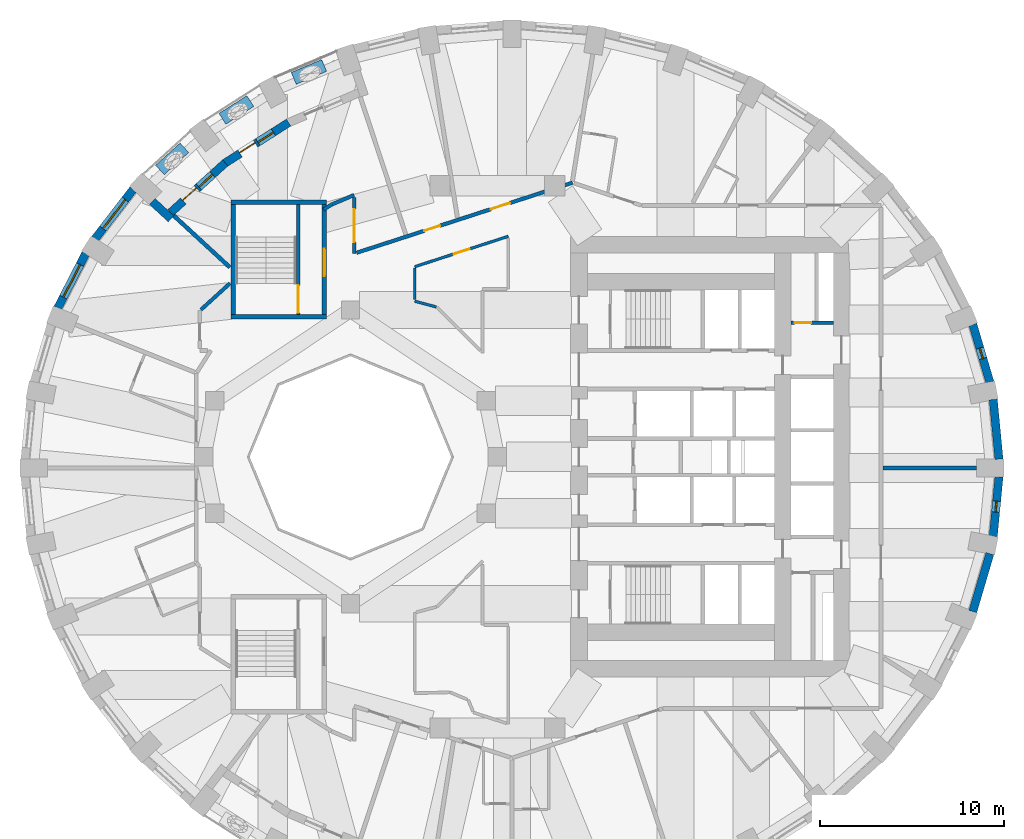
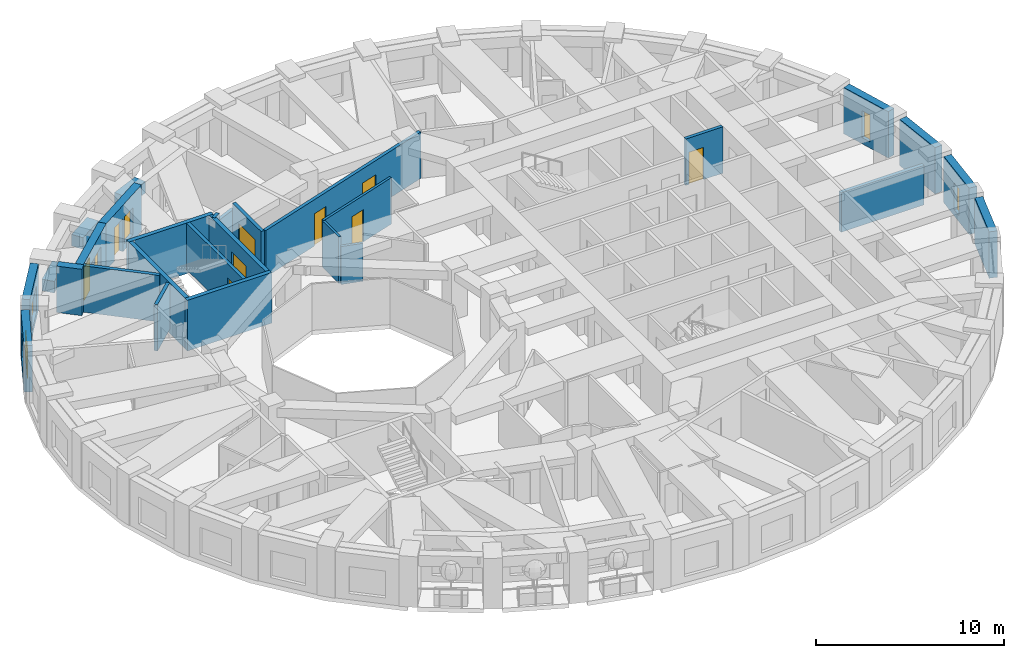
# One storey, part 7 of 12: 28 walls, 9 doors, 6 windows, 15 openings.
"""IFC4 building model written with IfcOpenShell, lengths in metres."""

import ifcopenshell
import ifcopenshell.guid

model = None  # the IFC model being written
_history = None  # IfcOwnerHistory: only IFC2X3 demands one
_inside = {}  # id of a spatial element -> (the spatial element, [elements in it])
_under = {}  # id of a project, library or spatial element -> (it, [spatial elements below it])
_declared = {}  # id of a project -> (the project, [libraries it declares])
_typed = {}  # id of a type object -> (the type object, [elements of that type])
_made_of = {}  # id of a material, layer set ... -> (it, [elements and type objects made of it])


def new_model(schema):
    """Start an empty IFC model of exactly this schema.

    Asked for "IFC4X3", IfcOpenShell would pick the latest addendum, in which some entities
    have other attributes; the version numbers below select the first issue.
    IFC2X3 requires an IfcOwnerHistory on every rooted entity: one is made here for all.
    """
    global model, _history
    if schema == "IFC4X3":
        model = ifcopenshell.file(schema_version=(4, 3, 0, 0))
    else:
        model = ifcopenshell.file(schema=schema)
    _inside.clear()
    _under.clear()
    _declared.clear()
    _typed.clear()
    _made_of.clear()
    _history = None
    if model.schema == "IFC2X3":
        org = make("IfcOrganization", Name="unknown")
        user = make(
            "IfcPersonAndOrganization",
            ThePerson=make("IfcPerson", FamilyName="unknown"),
            TheOrganization=org,
        )
        app = make(
            "IfcApplication",
            ApplicationDeveloper=org,
            Version="unknown",
            ApplicationFullName="unknown",
            ApplicationIdentifier="unknown",
        )
        _history = make(
            "IfcOwnerHistory",
            OwningUser=user,
            OwningApplication=app,
            ChangeAction="ADDED",
            CreationDate=0,
        )
    return model


def make(cls, **values):
    """One entity of the class cls with the attributes given. An attribute that is None is left unset."""
    return model.create_entity(
        cls, **{name: value for name, value in values.items() if value is not None}
    )


def rooted(cls, **values):
    """An entity with a GlobalId (a new one), such as an element, a storey or a relation."""
    return make(cls, GlobalId=ifcopenshell.guid.new(), OwnerHistory=_history, **values)


def si_unit(unit_type, name, prefix=None):
    """IfcSIUnit, for example si_unit("LENGTHUNIT", "METRE", prefix="MILLI")."""
    return make("IfcSIUnit", UnitType=unit_type, Prefix=prefix, Name=name)


def assignment(units):
    """IfcUnitAssignment: the units of a project."""
    return None if units is None else make("IfcUnitAssignment", Units=units)


def point(xyz):
    """IfcCartesianPoint."""
    return None if xyz is None else make("IfcCartesianPoint", Coordinates=xyz)


def direction(xyz):
    """IfcDirection."""
    return None if xyz is None else make("IfcDirection", DirectionRatios=xyz)


def frame(location, z_axis=None, x_axis=None):
    """IfcAxis2Placement3D, a coordinate frame: its origin and axes. An axis left out is left unset."""
    return make(
        "IfcAxis2Placement3D",
        Location=point(location),
        Axis=direction(z_axis),
        RefDirection=direction(x_axis),
    )


def frame_2d(location, x_axis=None):
    """IfcAxis2Placement2D, a coordinate frame in the plane: its origin and x axis."""
    return make(
        "IfcAxis2Placement2D", Location=point(location), RefDirection=direction(x_axis)
    )


def origin():
    """The frame at (0, 0, 0) with its axes left unset."""
    return frame((0.0, 0.0, 0.0))


def place(relative_to, where):
    """IfcLocalPlacement: puts the frame where relative to a parent placement (None: the world)."""
    return make(
        "IfcLocalPlacement", PlacementRelTo=relative_to, RelativePlacement=where
    )


def context(
    kind, dimensions, precision=None, world=None, true_north=None, identifier=None
):
    """IfcGeometricRepresentationContext, for example the 3D "Model" context."""
    return make(
        "IfcGeometricRepresentationContext",
        ContextIdentifier=identifier,
        ContextType=kind,
        CoordinateSpaceDimension=dimensions,
        Precision=precision,
        WorldCoordinateSystem=world,
        TrueNorth=true_north,
    )


def subcontext(parent, identifier, kind, view, scale=None):
    """IfcGeometricRepresentationSubContext, for example "Body" below "Model"."""
    return make(
        "IfcGeometricRepresentationSubContext",
        ContextIdentifier=identifier,
        ContextType=kind,
        ParentContext=parent,
        TargetScale=scale,
        TargetView=view,
    )


def project(units=None, contexts=None):
    """IfcProject with its units and contexts."""
    return rooted(
        "IfcProject",
        Name="project",
        RepresentationContexts=contexts,
        UnitsInContext=assignment(units),
    )


def spatial(cls, under=None, at=None, **own):
    """A site, building, storey or space (cls), placed at a placement, below another one or the project."""
    s = rooted(cls, ObjectPlacement=at, **own)
    if under is not None:
        _under.setdefault(under.id(), (under, []))[1].append(s)
    return s


def profile(cls, at=None, kind="AREA", **sizes):
    """A parametric profile (cls). Its sizes go by their IFC names, for example OverallWidth=200.0."""
    return make(cls, ProfileType=kind, Position=at, **sizes)


def rectangle(**sizes):
    """IfcRectangleProfileDef."""
    return profile("IfcRectangleProfileDef", **sizes)


def extrude(swept, where, along, depth):
    """IfcExtrudedAreaSolid: the profile swept, set in the frame where, extruded along a direction by depth."""
    return make(
        "IfcExtrudedAreaSolid",
        SweptArea=swept,
        Position=where,
        ExtrudedDirection=direction(along),
        Depth=depth,
    )


def shape(context_of_items, identifier, shape_type, items):
    """IfcShapeRepresentation: the items that make up one representation, for example the "Body"."""
    return make(
        "IfcShapeRepresentation",
        ContextOfItems=context_of_items,
        RepresentationIdentifier=identifier,
        RepresentationType=shape_type,
        Items=items,
    )


def material(Name=None, Category=None):
    """IfcMaterial."""
    return make("IfcMaterial", Name=Name, Category=Category)


def layer(
    of_material, thickness, ventilated=None, Name=None, Category=None, Priority=None
):
    """IfcMaterialLayer: one layer of a wall or slab, of a material (None: an air gap)."""
    return make(
        "IfcMaterialLayer",
        Material=of_material,
        LayerThickness=thickness,
        IsVentilated=ventilated,
        Name=Name,
        Category=Category,
        Priority=Priority,
    )


def layer_set(layers, Name=None):
    """IfcMaterialLayerSet."""
    return make("IfcMaterialLayerSet", MaterialLayers=layers, LayerSetName=Name)


def constituent(of_material, Name=None, Category=None, fraction=None):
    """IfcMaterialConstituent: one of the materials an element consists of."""
    return make(
        "IfcMaterialConstituent",
        Name=Name,
        Material=of_material,
        Fraction=fraction,
        Category=Category,
    )


def constituent_set(constituents=None, Name=None):
    """IfcMaterialConstituentSet."""
    return make(
        "IfcMaterialConstituentSet", Name=Name, MaterialConstituents=constituents
    )


def made_of(thing, what):
    """Note that an element or type object is made of a material, layer set ...; save() writes the relation."""
    if what is not None:
        _made_of.setdefault(what.id(), (what, []))[1].append(thing)
    return thing


def type_object(cls, material=None, **own):
    """A type object (cls), such as IfcWallType, which elements share."""
    return made_of(rooted(cls, **own), material)


def element(
    cls,
    number,
    at=None,
    inside=None,
    cuts=None,
    type_object=None,
    material=None,
    context=None,
    identifier="Body",
    shape_type=None,
    held_by="IfcProductDefinitionShape",
    body=None,
    shapes=None,
    **own,
):
    """One element of the class cls, such as IfcWall. Its Tag is "e" and its number.

    at: its placement. inside: the storey or other place that contains it. cuts: it is an
    opening in that element (IfcRelVoidsElement). A single representation is given by context,
    identifier, shape_type and body (its items); several are given by shapes. held_by: the class
    of the entity that holds the representations. save() writes the other relations.
    """
    e = rooted(cls, Tag="e%d" % number, ObjectPlacement=at, **own)
    if body is not None:
        shapes = [shape(context, identifier, shape_type, body)]
    if shapes is not None:
        e.Representation = make(held_by, Representations=shapes)
    if inside is not None:
        _inside.setdefault(inside.id(), (inside, []))[1].append(e)
    if cuts is not None:
        rooted(
            "IfcRelVoidsElement", RelatingBuildingElement=cuts, RelatedOpeningElement=e
        )
    if type_object is not None:
        _typed.setdefault(type_object.id(), (type_object, []))[1].append(e)
    return made_of(e, material)


def fill(opening, filler):
    """IfcRelFillsElement: the door or window that sits in an opening."""
    return rooted(
        "IfcRelFillsElement",
        RelatingOpeningElement=opening,
        RelatedBuildingElement=filler,
    )


def aggregate(whole, parts):
    """IfcRelAggregates: a whole, such as a stair, and the parts it consists of."""
    return rooted("IfcRelAggregates", RelatingObject=whole, RelatedObjects=parts)


def save(model, path):
    """Write the relations noted so far, then the file.

    IfcRelAggregates (storeys below a building ...), IfcRelContainedInSpatialStructure (elements
    in a storey), IfcRelDefinesByType, IfcRelAssociatesMaterial and IfcRelDeclares: one each for
    every whole, place, type object, material and project.
    """
    for whole, parts in _under.values():
        aggregate(whole, parts)
    for where, things in _inside.values():
        rooted(
            "IfcRelContainedInSpatialStructure",
            RelatedElements=things,
            RelatingStructure=where,
        )
    for kind, things in _typed.values():
        rooted("IfcRelDefinesByType", RelatedObjects=things, RelatingType=kind)
    for what, things in _made_of.values():
        rooted("IfcRelAssociatesMaterial", RelatedObjects=things, RelatingMaterial=what)
    for by, libraries in _declared.values():
        rooted("IfcRelDeclares", RelatingContext=by, RelatedDefinitions=libraries)
    model.write(path)


model = new_model("IFC4")

# Units and contexts
model_context = context("Model", 3, precision=1e-05, world=origin(), true_north=direction((0.0, 1.0)))
body_context = subcontext(model_context, "Body", "Model", "MODEL_VIEW")
ifc_project = project(units=[si_unit("LENGTHUNIT", "METRE"), si_unit("AREAUNIT", "SQUARE_METRE"), si_unit("VOLUMEUNIT", "CUBIC_METRE"), si_unit("PLANEANGLEUNIT", "RADIAN"), si_unit("MASSUNIT", "GRAM", prefix="KILO")], contexts=[model_context])

# Site, building, storey
site_placement = place(None, origin())
site = spatial("IfcSite", under=ifc_project, at=site_placement, CompositionType="ELEMENT")
building_placement = place(site_placement, origin())
building = spatial("IfcBuilding", under=site, at=building_placement, Name="Taillehof Tower", CompositionType="ELEMENT")
storey_placement = place(building_placement, frame((0.0, 0.0, 118.60009765625)))
storey = spatial("IfcBuildingStorey", under=building, at=storey_placement, Name="L33", CompositionType="ELEMENT", Elevation=118.60009765625)

# Wall
ifc_material_1 = material(Name="Brick masonry", Category="masonry")
ifc_layer_1 = layer(ifc_material_1, 0.449951171875)
ifc_layer_set_1 = layer_set([ifc_layer_1], Name="Brick infill wall 450")
wall_type_1 = type_object("IfcWallType", Name="Brick infill wall 450", PredefinedType="SOLIDWALL", material=ifc_layer_set_1)
wall_1_placement = place(storey_placement, frame((27.32763671875, -0.119873046875, 0.0), z_axis=(0.0, 0.0, 1.0), x_axis=(-0.09589355735, 0.995391594127, 0.0)))
element("IfcWall", 1, at=wall_1_placement, inside=storey, type_object=wall_type_1, Name="Brick wall L33 bay 1", PredefinedType="SOLIDWALL", context=body_context, shape_type="SweptSolid", body=[
    extrude(rectangle(XDim=3.261474609375, YDim=0.449951171875, at=frame_2d((1.630859375, 0.0))), origin(), (0.0, 0.0, 1.0), 3.02001953125),
])

# Wall, opening, window
wall_2_placement = place(storey_placement, frame((26.83203125, 4.069091796875, 0.0), z_axis=(0.0, 0.0, 1.0), x_axis=(-0.283002902729, 0.959119052593, 0.0)))
wall_2 = element("IfcWall", 2, at=wall_2_placement, inside=storey, type_object=wall_type_1, Name="Brick wall L33 bay 2", PredefinedType="SOLIDWALL", context=body_context, shape_type="SweptSolid", body=[
    extrude(rectangle(XDim=3.285888671875, YDim=0.449951171875, at=frame_2d((1.64306640625, 0.0))), origin(), (0.0, 0.0, 1.0), 3.02001953125),
])
opening_1_placement = place(wall_2_placement, frame((1.343017578125, 0.0, 0.39990234375)))
opening_1 = element("IfcOpeningElement", 3, at=opening_1_placement, cuts=wall_2, Name="Opening W6", PredefinedType="OPENING", context=body_context, shape_type="SweptSolid", body=[
    extrude(rectangle(XDim=0.60009765625, YDim=1.75, at=frame_2d((0.300048828125, 0.875))), frame((0.0, 0.23486328125, 0.0), z_axis=(0.0, -1.0, 0.0), x_axis=(1.0, 0.0, 0.0)), (0.0, 0.0, 1.0), 0.469970703125),
])
ifc_material_2 = material(Name="Aluminium window frame with clear double glazing", Category="aluminium")
window_type_1 = type_object("IfcWindowType", Name="Slot window 600x1750", PartitioningType="SINGLE_PANEL", PredefinedType="WINDOW", material=ifc_material_2)
window_1_placement = place(opening_1_placement, origin())
window_1 = element("IfcWindow", 4, at=window_1_placement, inside=storey, type_object=window_type_1, Name="W6", OverallHeight=1.75, OverallWidth=0.60009765625, PartitioningType="SINGLE_PANEL", PredefinedType="WINDOW", context=body_context, shape_type="SweptSolid", body=[
    extrude(rectangle(XDim=0.60009765625, YDim=1.75, at=frame_2d((0.300048828125, 0.875))), frame((0.0, 0.034912109375, 0.0), z_axis=(0.0, -1.0, 0.0), x_axis=(1.0, 0.0, 0.0)), (0.0, 0.0, 1.0), 0.06005859375),
])
fill(opening_1, window_1)

wall_3_placement = place(storey_placement, frame((-19.835205078125, 14.575439453125, 0.0), z_axis=(0.0, 0.0, 1.0), x_axis=(-0.610693945156, -0.791866721961, 0.0)))
wall_3 = element("IfcWall", 5, at=wall_3_placement, inside=storey, type_object=wall_type_1, Name="Brick wall L33 bay 15", PredefinedType="SOLIDWALL", context=body_context, shape_type="SweptSolid", body=[
    extrude(rectangle(XDim=3.39453125, YDim=0.449951171875, at=frame_2d((1.697265625, 0.0))), origin(), (0.0, 0.0, 1.0), 3.02001953125),
])
opening_2_placement = place(wall_3_placement, frame((0.697265625, 0.0, 0.39990234375)))
opening_2 = element("IfcOpeningElement", 6, at=opening_2_placement, cuts=wall_3, Name="Opening W2", PredefinedType="OPENING", context=body_context, shape_type="SweptSolid", body=[
    extrude(rectangle(XDim=2.0, YDim=1.75, at=frame_2d((1.0, 0.875))), frame((0.0, 0.23486328125, 0.0), z_axis=(0.0, -1.0, 0.0), x_axis=(1.0, 0.0, 0.0)), (0.0, 0.0, 1.0), 0.469970703125),
])
ifc_material_3 = material(Name="Aluminium window frame with clear double glazing", Category="aluminium")
window_type_2 = type_object("IfcWindowType", Name="Deep-set window 2000x1750", PartitioningType="SINGLE_PANEL", PredefinedType="WINDOW", material=ifc_material_3)
window_2_placement = place(opening_2_placement, origin())
window_2 = element("IfcWindow", 7, at=window_2_placement, inside=storey, type_object=window_type_2, Name="W2", OverallHeight=1.75, OverallWidth=2.0, PartitioningType="SINGLE_PANEL", PredefinedType="WINDOW", context=body_context, shape_type="SweptSolid", body=[
    extrude(rectangle(XDim=2.0, YDim=1.75, at=frame_2d((1.0, 0.875))), frame((0.0, 0.034912109375, 0.0), z_axis=(0.0, -1.0, 0.0), x_axis=(1.0, 0.0, 0.0)), (0.0, 0.0, 1.0), 0.06005859375),
])
fill(opening_2, window_2)

wall_4_placement = place(storey_placement, frame((-22.4228515625, 11.076904296875, 0.0), z_axis=(0.0, 0.0, 1.0), x_axis=(-0.456828186229, -0.889554949549, 0.0)))
wall_4 = element("IfcWall", 8, at=wall_4_placement, inside=storey, type_object=wall_type_1, Name="Brick wall L33 bay 16", PredefinedType="SOLIDWALL", context=body_context, shape_type="SweptSolid", body=[
    extrude(rectangle(XDim=3.332763671875, YDim=0.449951171875, at=frame_2d((1.66650390625, 0.0))), origin(), (0.0, 0.0, 1.0), 3.02001953125),
])
opening_3_placement = place(wall_4_placement, frame((0.666259765625, 0.0, 0.39990234375)))
opening_3 = element("IfcOpeningElement", 9, at=opening_3_placement, cuts=wall_4, Name="Opening W2", PredefinedType="OPENING", context=body_context, shape_type="SweptSolid", body=[
    extrude(rectangle(XDim=2.0, YDim=1.75, at=frame_2d((1.0, 0.875))), frame((0.0, 0.23486328125, 0.0), z_axis=(0.0, -1.0, 0.0), x_axis=(1.0, 0.0, 0.0)), (0.0, 0.0, 1.0), 0.469970703125),
])
window_3_placement = place(opening_3_placement, origin())
window_3 = element("IfcWindow", 10, at=window_3_placement, inside=storey, type_object=window_type_2, Name="W2", OverallHeight=1.75, OverallWidth=2.0, PartitioningType="SINGLE_PANEL", PredefinedType="WINDOW", context=body_context, shape_type="SweptSolid", body=[
    extrude(rectangle(XDim=2.0, YDim=1.75, at=frame_2d((1.0, 0.875))), frame((0.0, 0.034912109375, 0.0), z_axis=(0.0, -1.0, 0.0), x_axis=(1.0, 0.0, 0.0)), (0.0, 0.0, 1.0), 0.06005859375),
])
fill(opening_3, window_3)

# Wall
wall_5_placement = place(storey_placement, frame((25.902099609375, -8.4208984375, 0.0), z_axis=(0.0, 0.0, 1.0), x_axis=(0.282982737009, 0.95912500257, 0.0)))
element("IfcWall", 11, at=wall_5_placement, inside=storey, type_object=wall_type_1, Name="Brick wall L33 bay 35", PredefinedType="SOLIDWALL", context=body_context, shape_type="SweptSolid", body=[
    extrude(rectangle(XDim=3.2861328125, YDim=0.449951171875, at=frame_2d((1.64306640625, 0.0))), origin(), (0.0, 0.0, 1.0), 3.02001953125),
])

# Wall, opening, window
wall_6_placement = place(storey_placement, frame((27.014892578125, -4.326416015625, 0.0), z_axis=(0.0, 0.0, 1.0), x_axis=(0.09589355735, 0.995391594127, 0.0)))
wall_6 = element("IfcWall", 12, at=wall_6_placement, inside=storey, type_object=wall_type_1, Name="Brick wall L33 bay 36", PredefinedType="SOLIDWALL", context=body_context, shape_type="SweptSolid", body=[
    extrude(rectangle(XDim=3.261474609375, YDim=0.449951171875, at=frame_2d((1.630859375, 0.0))), origin(), (0.0, 0.0, 1.0), 3.02001953125),
])
opening_4_placement = place(wall_6_placement, frame((1.33056640625, 0.0, 0.39990234375)))
opening_4 = element("IfcOpeningElement", 13, at=opening_4_placement, cuts=wall_6, Name="Opening W6", PredefinedType="OPENING", context=body_context, shape_type="SweptSolid", body=[
    extrude(rectangle(XDim=0.60009765625, YDim=1.75, at=frame_2d((0.300048828125, 0.875))), frame((0.0, 0.23486328125, 0.0), z_axis=(0.0, -1.0, 0.0), x_axis=(1.0, 0.0, 0.0)), (0.0, 0.0, 1.0), 0.469970703125),
])
window_4_placement = place(opening_4_placement, origin())
window_4 = element("IfcWindow", 14, at=window_4_placement, inside=storey, type_object=window_type_1, Name="W6", OverallHeight=1.75, OverallWidth=0.60009765625, PartitioningType="SINGLE_PANEL", PredefinedType="WINDOW", context=body_context, shape_type="SweptSolid", body=[
    extrude(rectangle(XDim=0.60009765625, YDim=1.75, at=frame_2d((0.300048828125, 0.875))), frame((0.0, 0.034912109375, 0.0), z_axis=(0.0, -1.0, 0.0), x_axis=(1.0, 0.0, 0.0)), (0.0, 0.0, 1.0), 0.06005859375),
])
fill(opening_4, window_4)

# Wall
wall_7_placement = place(storey_placement, frame((-18.794677734375, 13.916015625, 0.0), z_axis=(0.0, 0.0, 1.0), x_axis=(0.735395448697, -0.677638202905, 0.0)))
element("IfcWall", 15, at=wall_7_placement, inside=storey, type_object=wall_type_1, Name="Brick reveal L33 pocket 3", PredefinedType="SOLIDWALL", context=body_context, shape_type="SweptSolid", body=[
    extrude(rectangle(XDim=1.390625, YDim=0.449951171875, at=frame_2d((0.6953125, 0.0))), origin(), (0.0, 0.0, 1.0), 3.02001953125),
])

# Wall, openings, door, window
wall_8_placement = place(storey_placement, frame((-11.3623046875, 18.216796875, 0.0), z_axis=(0.0, 0.0, 1.0), x_axis=(-0.843284405788, -0.537467590609, 0.0)))
wall_8 = element("IfcWall", 16, at=wall_8_placement, inside=storey, type_object=wall_type_1, Name="Brick wall L33 pocket bay 13", PredefinedType="SOLIDWALL", context=body_context, shape_type="SweptSolid", body=[
    extrude(rectangle(XDim=4.134521484375, YDim=0.449951171875, at=frame_2d((2.0673828125, 0.0))), origin(), (0.0, 0.0, 1.0), 3.02001953125),
])
opening_5_placement = place(wall_8_placement, frame((0.9921875, 0.0, 0.39990234375)))
opening_5 = element("IfcOpeningElement", 17, at=opening_5_placement, cuts=wall_8, Name="Opening W5", PredefinedType="OPENING", context=body_context, shape_type="SweptSolid", body=[
    extrude(rectangle(XDim=1.0, YDim=1.75, at=frame_2d((0.5, 0.875))), frame((0.0, 0.23486328125, 0.0), z_axis=(0.0, -1.0, 0.0), x_axis=(1.0, 0.0, 0.0)), (0.0, 0.0, 1.0), 0.469970703125),
])
opening_6_placement = place(wall_8_placement, frame((2.142333984375, 0.0, 0.0)))
opening_6 = element("IfcOpeningElement", 18, at=opening_6_placement, cuts=wall_8, Name="Opening D3395", PredefinedType="OPENING", context=body_context, shape_type="SweptSolid", body=[
    extrude(rectangle(XDim=1.0, YDim=2.14990234375, at=frame_2d((0.5, 1.074951171875))), frame((0.0, 0.23486328125, 0.0), z_axis=(0.0, -1.0, 0.0), x_axis=(1.0, 0.0, 0.0)), (0.0, 0.0, 1.0), 0.469970703125),
])
ifc_material_4 = material(Name="Aluminium door frame with clear double glazing", Category="aluminium")
door_type_1 = type_object("IfcDoorType", Name="Balcony door 1000x2150", OperationType="SINGLE_SWING_RIGHT", PredefinedType="DOOR", material=ifc_material_4)
door_1_placement = place(opening_6_placement, frame((1.0, 0.0, 0.0), z_axis=(0.0, 0.0, 1.0), x_axis=(-1.0, 0.0, 0.0)))
door_1 = element("IfcDoor", 19, at=door_1_placement, inside=storey, type_object=door_type_1, Name="Balcony door L33 bay 13", OperationType="SINGLE_SWING_LEFT", OverallHeight=2.14990234375, OverallWidth=1.0, PredefinedType="DOOR", context=body_context, shape_type="SweptSolid", body=[
    extrude(rectangle(XDim=1.0, YDim=2.14990234375, at=frame_2d((0.5, 1.074951171875))), frame((0.0, 0.0751953125, 0.0), z_axis=(0.0, -1.0, 0.0), x_axis=(1.0, 0.0, 0.0)), (0.0, 0.0, 1.0), 0.050048828125),
])
fill(opening_6, door_1)
ifc_material_5 = material(Name="Aluminium window frame with clear double glazing", Category="aluminium")
window_type_3 = type_object("IfcWindowType", Name="Fixed window 1000x1750", PartitioningType="SINGLE_PANEL", PredefinedType="WINDOW", material=ifc_material_5)
window_5_placement = place(opening_5_placement, origin())
window_5 = element("IfcWindow", 20, at=window_5_placement, inside=storey, type_object=window_type_3, Name="W5", OverallHeight=1.75, OverallWidth=1.0, PartitioningType="SINGLE_PANEL", PredefinedType="WINDOW", context=body_context, shape_type="SweptSolid", body=[
    extrude(rectangle(XDim=1.0, YDim=1.75, at=frame_2d((0.5, 0.875))), frame((0.0, 0.034912109375, 0.0), z_axis=(0.0, -1.0, 0.0), x_axis=(1.0, 0.0, 0.0)), (0.0, 0.0, 1.0), 0.06005859375),
])
fill(opening_5, window_5)

wall_9_placement = place(storey_placement, frame((-14.818359375, 16.01806640625, 0.0), z_axis=(0.0, 0.0, 1.0), x_axis=(-0.739460283824, -0.673200184675, 0.0)))
wall_9 = element("IfcWall", 21, at=wall_9_placement, inside=storey, type_object=wall_type_1, Name="Brick wall L33 pocket bay 14", PredefinedType="SOLIDWALL", context=body_context, shape_type="SweptSolid", body=[
    extrude(rectangle(XDim=4.031005859375, YDim=0.449951171875, at=frame_2d((2.015625, 0.0))), origin(), (0.0, 0.0, 1.0), 3.02001953125),
])
opening_7_placement = place(wall_9_placement, frame((0.9404296875, 0.0, 0.39990234375)))
opening_7 = element("IfcOpeningElement", 22, at=opening_7_placement, cuts=wall_9, Name="Opening W5", PredefinedType="OPENING", context=body_context, shape_type="SweptSolid", body=[
    extrude(rectangle(XDim=1.0, YDim=1.75, at=frame_2d((0.5, 0.875))), frame((0.0, 0.23486328125, 0.0), z_axis=(0.0, -1.0, 0.0), x_axis=(1.0, 0.0, 0.0)), (0.0, 0.0, 1.0), 0.469970703125),
])
opening_8_placement = place(wall_9_placement, frame((2.090576171875, 0.0, 0.0)))
opening_8 = element("IfcOpeningElement", 23, at=opening_8_placement, cuts=wall_9, Name="Opening D3396", PredefinedType="OPENING", context=body_context, shape_type="SweptSolid", body=[
    extrude(rectangle(XDim=1.0, YDim=2.14990234375, at=frame_2d((0.5, 1.074951171875))), frame((0.0, 0.23486328125, 0.0), z_axis=(0.0, -1.0, 0.0), x_axis=(1.0, 0.0, 0.0)), (0.0, 0.0, 1.0), 0.469970703125),
])
door_2_placement = place(opening_8_placement, frame((1.0, 0.0, 0.0), z_axis=(0.0, 0.0, 1.0), x_axis=(-1.0, 0.0, 0.0)))
door_2 = element("IfcDoor", 24, at=door_2_placement, inside=storey, type_object=door_type_1, Name="Balcony door L33 bay 14", OperationType="SINGLE_SWING_LEFT", OverallHeight=2.14990234375, OverallWidth=1.0, PredefinedType="DOOR", context=body_context, shape_type="SweptSolid", body=[
    extrude(rectangle(XDim=1.0, YDim=2.14990234375, at=frame_2d((0.5, 1.074951171875))), frame((0.0, 0.0751953125, 0.0), z_axis=(0.0, -1.0, 0.0), x_axis=(1.0, 0.0, 0.0)), (0.0, 0.0, 1.0), 0.050048828125),
])
fill(opening_8, door_2)
window_6_placement = place(opening_7_placement, origin())
window_6 = element("IfcWindow", 25, at=window_6_placement, inside=storey, type_object=window_type_3, Name="W5", OverallHeight=1.75, OverallWidth=1.0, PartitioningType="SINGLE_PANEL", PredefinedType="WINDOW", context=body_context, shape_type="SweptSolid", body=[
    extrude(rectangle(XDim=1.0, YDim=1.75, at=frame_2d((0.5, 0.875))), frame((0.0, 0.034912109375, 0.0), z_axis=(0.0, -1.0, 0.0), x_axis=(1.0, 0.0, 0.0)), (0.0, 0.0, 1.0), 0.06005859375),
])
fill(opening_7, window_6)

# Wall, opening, door
ifc_material_6 = material(Name="Calcium silicate masonry", Category="masonry")
ifc_layer_2 = layer(ifc_material_6, 0.199951171875)
ifc_layer_set_2 = layer_set([ifc_layer_2], Name="Compartment wall calcium silicate 200")
wall_type_2 = type_object("IfcWallType", Name="Compartment wall calcium silicate 200", PredefinedType="PARTITIONING", material=ifc_layer_set_2)
wall_10_placement = place(storey_placement, frame((16.0, 7.300048828125, 0.0), z_axis=(0.0, 0.0, 1.0), x_axis=(1.0, 0.0, 0.0)))
wall_10 = element("IfcWall", 26, at=wall_10_placement, inside=storey, type_object=wall_type_2, Name="Compartment wall FW", PredefinedType="PARTITIONING", context=body_context, shape_type="SweptSolid", body=[
    extrude(rectangle(XDim=2.300048828125, YDim=0.199951171875, at=frame_2d((1.14990234375, 0.0))), origin(), (0.0, 0.0, 1.0), 3.02001953125),
])
opening_9_placement = place(wall_10_placement, frame((0.199951171875, 0.0, 0.0)))
opening_9 = element("IfcOpeningElement", 27, at=opening_9_placement, cuts=wall_10, Name="Opening D3316", PredefinedType="OPENING", context=body_context, shape_type="SweptSolid", body=[
    extrude(rectangle(XDim=0.89990234375, YDim=2.10009765625, at=frame_2d((0.449951171875, 1.050048828125))), frame((0.0, 0.10986328125, 0.0), z_axis=(0.0, -1.0, 0.0), x_axis=(1.0, 0.0, 0.0)), (0.0, 0.0, 1.0), 0.219970703125),
])
ifc_material_7 = material(Name="Steel-faced fire door", Category="steel")
door_type_2 = type_object("IfcDoorType", Name="Riser and service room door 900x2100", OperationType="SINGLE_SWING_LEFT", PredefinedType="DOOR", material=ifc_material_7)
door_3_placement = place(opening_9_placement, origin())
door_3 = element("IfcDoor", 28, at=door_3_placement, inside=storey, type_object=door_type_2, Name="Door Linen Store", OperationType="SINGLE_SWING_RIGHT", OverallHeight=2.10009765625, OverallWidth=0.89990234375, PredefinedType="DOOR", context=body_context, shape_type="SweptSolid", body=[
    extrude(rectangle(XDim=0.89990234375, YDim=2.10009765625, at=frame_2d((0.449951171875, 1.050048828125))), frame((0.0, 0.02490234375, 0.0), z_axis=(0.0, -1.0, 0.0), x_axis=(1.0, 0.0, 0.0)), (0.0, 0.0, 1.0), 0.050048828125),
])
fill(opening_9, door_3)

# Walls
ifc_material_8 = material(Name="Gypsum board on steel studs, two layers each side", Category="steel")
ifc_layer_3 = layer(ifc_material_8, 0.199951171875)
ifc_layer_set_3 = layer_set([ifc_layer_3], Name="Compartment wall corridor 200")
wall_type_3 = type_object("IfcWallType", Name="Compartment wall corridor 200", PredefinedType="PARTITIONING", material=ifc_layer_set_3)
wall_11_placement = place(storey_placement, frame((-16.140380859375, 8.0185546875, 0.0), z_axis=(0.0, 0.0, 1.0), x_axis=(0.739392120684, 0.673275049197, 0.0)))
element("IfcWall", 29, at=wall_11_placement, inside=storey, type_object=wall_type_3, Name="Compartment wall", PredefinedType="PARTITIONING", context=body_context, shape_type="SweptSolid", body=[
    extrude(rectangle(XDim=2.137939453125, YDim=0.199951171875, at=frame_2d((1.06884765625, 0.0))), origin(), (0.0, 0.0, 1.0), 3.02001953125),
])
wall_12_placement = place(storey_placement, frame((-9.455078125, 13.4736328125, 0.0), z_axis=(0.0, 0.0, 1.0), x_axis=(0.843342387181, 0.537376607216, 0.0)))
element("IfcWall", 30, at=wall_12_placement, inside=storey, type_object=wall_type_3, Name="Compartment wall", PredefinedType="PARTITIONING", context=body_context, shape_type="SweptSolid", body=[
    extrude(rectangle(XDim=0.50439453125, YDim=0.199951171875, at=frame_2d((0.252197265625, 0.0))), origin(), (0.0, 0.0, 1.0), 3.02001953125),
])
wall_13_placement = place(storey_placement, frame((-9.011474609375, 13.75244140625, 0.0), z_axis=(0.0, 0.0, 1.0), x_axis=(0.920454408747, 0.390849947446, 0.0)))
element("IfcWall", 31, at=wall_13_placement, inside=storey, type_object=wall_type_3, Name="Compartment wall", PredefinedType="PARTITIONING", context=body_context, shape_type="SweptSolid", body=[
    extrude(rectangle(XDim=1.316162109375, YDim=0.199951171875, at=frame_2d((0.658203125, 0.0))), origin(), (0.0, 0.0, 1.0), 2.56982421875),
])

# Wall, opening, door
wall_14_placement = place(storey_placement, frame((-7.800048828125, 14.126708984375, 0.0), z_axis=(0.0, 0.0, 1.0), x_axis=(0.0, -1.0, 0.0)))
wall_14 = element("IfcWall", 32, at=wall_14_placement, inside=storey, type_object=wall_type_3, Name="Compartment wall", PredefinedType="PARTITIONING", context=body_context, shape_type="SweptSolid", body=[
    extrude(rectangle(XDim=3.05029296875, YDim=0.199951171875, at=frame_2d((1.525146484375, 0.0))), origin(), (0.0, 0.0, 1.0), 3.02001953125),
])
opening_10_placement = place(wall_14_placement, frame((0.625244140625, 0.0, 0.0)))
opening_10 = element("IfcOpeningElement", 33, at=opening_10_placement, cuts=wall_14, Name="Opening D3346", PredefinedType="OPENING", context=body_context, shape_type="SweptSolid", body=[
    extrude(rectangle(XDim=1.800048828125, YDim=2.10009765625, at=frame_2d((0.89990234375, 1.050048828125))), frame((0.0, 0.10986328125, 0.0), z_axis=(0.0, -1.0, 0.0), x_axis=(1.0, 0.0, 0.0)), (0.0, 0.0, 1.0), 0.219970703125),
])
ifc_material_9 = material(Name="Timber door leaf in steel frame", Category="steel")
door_type_3 = type_object("IfcDoorType", Name="Lounge and meeting room double door EI 30 1800 x 2100", OperationType="SINGLE_SWING_LEFT", PredefinedType="DOOR", material=ifc_material_9)
door_4_placement = place(opening_10_placement, origin())
door_4 = element("IfcDoor", 34, at=door_4_placement, inside=storey, type_object=door_type_3, Name="D3346", OperationType="DOUBLE_DOOR_SINGLE_SWING", OverallHeight=2.10009765625, OverallWidth=1.800048828125, PredefinedType="DOOR", context=body_context, shape_type="SweptSolid", body=[
    extrude(rectangle(XDim=1.800048828125, YDim=2.10009765625, at=frame_2d((0.89990234375, 1.050048828125))), frame((0.0, 0.02490234375, 0.0), z_axis=(0.0, -1.0, 0.0), x_axis=(1.0, 0.0, 0.0)), (0.0, 0.0, 1.0), 0.050048828125),
])
fill(opening_10, door_4)

# Wall, openings, doors
wall_15_placement = place(storey_placement, frame((-7.666748046875, 11.119140625, 0.0), z_axis=(0.0, 0.0, 1.0), x_axis=(0.951088334028, 0.308919052304, 0.0)))
wall_15 = element("IfcWall", 35, at=wall_15_placement, inside=storey, type_object=wall_type_3, Name="Compartment wall", PredefinedType="PARTITIONING", context=body_context, shape_type="SweptSolid", body=[
    extrude(rectangle(XDim=12.362060546875, YDim=0.199951171875, at=frame_2d((6.18115234375, 0.0))), origin(), (0.0, 0.0, 1.0), 3.02001953125),
])
opening_11_placement = place(wall_15_placement, frame((7.686279296875, 0.0, 0.0)))
opening_11 = element("IfcOpeningElement", 36, at=opening_11_placement, cuts=wall_15, Name="Opening D3344", PredefinedType="OPENING", context=body_context, shape_type="SweptSolid", body=[
    extrude(rectangle(XDim=1.10009765625, YDim=2.10009765625, at=frame_2d((0.550048828125, 1.050048828125))), frame((0.0, 0.10986328125, 0.0), z_axis=(0.0, -1.0, 0.0), x_axis=(1.0, 0.0, 0.0)), (0.0, 0.0, 1.0), 0.219970703125),
])
opening_12_placement = place(wall_15_placement, frame((3.879638671875, 0.0, 0.0)))
opening_12 = element("IfcOpeningElement", 37, at=opening_12_placement, cuts=wall_15, Name="Opening D3345", PredefinedType="OPENING", context=body_context, shape_type="SweptSolid", body=[
    extrude(rectangle(XDim=0.89990234375, YDim=2.10009765625, at=frame_2d((0.449951171875, 1.050048828125))), frame((0.0, 0.10986328125, 0.0), z_axis=(0.0, -1.0, 0.0), x_axis=(1.0, 0.0, 0.0)), (0.0, 0.0, 1.0), 0.219970703125),
])
ifc_material_10 = material(Name="Timber door leaf in steel frame", Category="steel")
door_type_4 = type_object("IfcDoorType", Name="Service room door EI 30 900 x 2100", OperationType="SINGLE_SWING_LEFT", PredefinedType="DOOR", material=ifc_material_10)
door_5_placement = place(opening_12_placement, origin())
door_5 = element("IfcDoor", 38, at=door_5_placement, inside=storey, type_object=door_type_4, Name="D3345", OperationType="SINGLE_SWING_RIGHT", OverallHeight=2.10009765625, OverallWidth=0.89990234375, PredefinedType="DOOR", context=body_context, shape_type="SweptSolid", body=[
    extrude(rectangle(XDim=0.89990234375, YDim=2.10009765625, at=frame_2d((0.449951171875, 1.050048828125))), frame((0.0, 0.02490234375, 0.0), z_axis=(0.0, -1.0, 0.0), x_axis=(1.0, 0.0, 0.0)), (0.0, 0.0, 1.0), 0.050048828125),
])
fill(opening_12, door_5)
ifc_material_11 = material(Name="Timber door leaf in steel frame", Category="steel")
door_type_5 = type_object("IfcDoorType", Name="Suite entrance door EI 30 1100 x 2100", OperationType="SINGLE_SWING_LEFT", PredefinedType="DOOR", material=ifc_material_11)
door_6_placement = place(opening_11_placement, origin())
door_6 = element("IfcDoor", 39, at=door_6_placement, inside=storey, type_object=door_type_5, Name="D3344", OperationType="SINGLE_SWING_LEFT", OverallHeight=2.10009765625, OverallWidth=1.10009765625, PredefinedType="DOOR", context=body_context, shape_type="SweptSolid", body=[
    extrude(rectangle(XDim=1.10009765625, YDim=2.10009765625, at=frame_2d((0.550048828125, 1.050048828125))), frame((0.0, 0.02490234375, 0.0), z_axis=(0.0, -1.0, 0.0), x_axis=(1.0, 0.0, 0.0)), (0.0, 0.0, 1.0), 0.050048828125),
])
fill(opening_11, door_6)

# Walls
ifc_material_12 = material(Name="Gypsum board on double steel studs with mineral wool", Category="steel")
ifc_layer_4 = layer(ifc_material_12, 0.219970703125)
ifc_layer_set_4 = layer_set([ifc_layer_4], Name="Compartment wall guest room 220")
wall_type_4 = type_object("IfcWallType", Name="Compartment wall guest room 220", PredefinedType="PARTITIONING", material=ifc_layer_set_4)
wall_16_placement = place(storey_placement, frame((26.10009765625, -0.60009765625, 0.0), z_axis=(0.0, 0.0, 1.0), x_axis=(-1.0, 0.0, 0.0)))
element("IfcWall", 40, at=wall_16_placement, inside=storey, type_object=wall_type_4, Name="Compartment wall", PredefinedType="PARTITIONING", context=body_context, shape_type="SweptSolid", body=[
    extrude(rectangle(XDim=5.10009765625, YDim=0.219970703125, at=frame_2d((2.550048828125, 0.0))), origin(), (0.0, 0.0, 1.0), 2.56982421875),
])
wall_17_placement = place(storey_placement, frame((-17.633056640625, 13.1513671875, 0.0), z_axis=(0.0, 0.0, 1.0), x_axis=(0.73535370522, -0.677683501511, 0.0)))
element("IfcWall", 41, at=wall_17_placement, inside=storey, type_object=wall_type_4, Name="Compartment wall", PredefinedType="PARTITIONING", context=body_context, shape_type="SweptSolid", body=[
    extrude(rectangle(XDim=4.165771484375, YDim=0.219970703125, at=frame_2d((2.0830078125, 0.0))), origin(), (0.0, 0.0, 1.0), 3.02001953125),
])

# Wall, opening, door
ifc_material_13 = material(Name="Gypsum board on steel studs, two layers each side", Category="steel")
ifc_layer_5 = layer(ifc_material_13, 0.14990234375)
ifc_layer_set_5 = layer_set([ifc_layer_5], Name="Compartment wall service room 150")
wall_type_5 = type_object("IfcWallType", Name="Compartment wall service room 150", PredefinedType="PARTITIONING", material=ifc_layer_set_5)
wall_18_placement = place(storey_placement, frame((-4.5, 10.360595703125, 0.0), z_axis=(0.0, 0.0, 1.0), x_axis=(0.951090931116, 0.308911056372, 0.0)))
wall_18 = element("IfcWall", 42, at=wall_18_placement, inside=storey, type_object=wall_type_5, Name="Compartment wall", PredefinedType="PARTITIONING", context=body_context, shape_type="SweptSolid", body=[
    extrude(rectangle(XDim=5.3623046875, YDim=0.14990234375, at=frame_2d((2.68115234375, 0.0))), origin(), (0.0, 0.0, 1.0), 3.02001953125),
])
opening_13_placement = place(wall_18_placement, frame((2.231201171875, 0.0, 0.0)))
opening_13 = element("IfcOpeningElement", 43, at=opening_13_placement, cuts=wall_18, Name="Opening D3366", PredefinedType="OPENING", context=body_context, shape_type="SweptSolid", body=[
    extrude(rectangle(XDim=0.89990234375, YDim=2.10009765625, at=frame_2d((0.449951171875, 1.050048828125))), frame((0.0, 0.0849609375, 0.0), z_axis=(0.0, -1.0, 0.0), x_axis=(1.0, 0.0, 0.0)), (0.0, 0.0, 1.0), 0.169921875),
])
door_7_placement = place(opening_13_placement, origin())
door_7 = element("IfcDoor", 44, at=door_7_placement, inside=storey, type_object=door_type_4, Name="D3366", OperationType="SINGLE_SWING_LEFT", OverallHeight=2.10009765625, OverallWidth=0.89990234375, PredefinedType="DOOR", context=body_context, shape_type="SweptSolid", body=[
    extrude(rectangle(XDim=0.89990234375, YDim=2.10009765625, at=frame_2d((0.449951171875, 1.050048828125))), frame((0.0, 0.02490234375, 0.0), z_axis=(0.0, -1.0, 0.0), x_axis=(1.0, 0.0, 0.0)), (0.0, 0.0, 1.0), 0.050048828125),
])
fill(opening_13, door_7)

# Walls
wall_19_placement = place(storey_placement, frame((-3.328125, 8.169189453125, 0.0), z_axis=(0.0, 0.0, 1.0), x_axis=(-0.965933680277, 0.258789731841, 0.0)))
element("IfcWall", 45, at=wall_19_placement, inside=storey, type_object=wall_type_5, Name="Compartment wall", PredefinedType="PARTITIONING", context=body_context, shape_type="SweptSolid", body=[
    extrude(rectangle(XDim=1.213134765625, YDim=0.14990234375, at=frame_2d((0.6064453125, 0.0))), origin(), (0.0, 0.0, 1.0), 2.469970703125),
])
wall_20_placement = place(storey_placement, frame((-4.5, 8.563232421875, 0.0), z_axis=(0.0, 0.0, 1.0), x_axis=(0.0, 1.0, 0.0)))
element("IfcWall", 46, at=wall_20_placement, inside=storey, type_object=wall_type_5, Name="Compartment wall", PredefinedType="PARTITIONING", context=body_context, shape_type="SweptSolid", body=[
    extrude(rectangle(XDim=1.71728515625, YDim=0.14990234375, at=frame_2d((0.858642578125, 0.0))), origin(), (0.0, 0.0, 1.0), 3.02001953125),
])
ifc_material_14 = material(Name="Concrete C30/37 precast", Category="concrete")
ifc_constituent_1 = constituent(ifc_material_14, Name="Structure", Category="concrete")
ifc_material_15 = material(Name="Insulated lining")
ifc_constituent_2 = constituent(ifc_material_15, Name="Lining")
ifc_constituent_set = constituent_set(constituents=[ifc_constituent_1, ifc_constituent_2], Name="Planter trough 700x750")
wall_type_6 = type_object("IfcWallType", Name="Planter trough 700x750", PredefinedType="USERDEFINED", material=ifc_constituent_set)
for number, where, z_axis, x_axis, name in (
    (47, (-9.431884765625, 21.32177734375, 0.0), (0.0, 0.0, 1.0), (-0.920903594752, -0.389790416984, 0.0), "Planter L33 bay 12"),
    (48, (-13.45361328125, 19.3818359375, 0.0), (0.0, 0.0, 1.0), (-0.843873638802, -0.536541966425, 0.0), "Planter L33 bay 13"),
):
    element("IfcWall", number, at=place(storey_placement, frame(where, z_axis=z_axis, x_axis=x_axis)), inside=storey, type_object=wall_type_6, Name=name, ObjectType="PLANTER", PredefinedType="USERDEFINED", context=body_context, shape_type="SweptSolid", body=[
        extrude(rectangle(XDim=1.800048828125, YDim=0.699951171875, at=frame_2d((0.89990234375, 0.0))), origin(), (0.0, 0.0, 1.0), 0.75),
    ])
wall_21_placement = place(storey_placement, frame((-17.044189453125, 16.839111328125, 0.0), z_axis=(0.0, 0.0, 1.0), x_axis=(-0.740332755969, -0.6722405897, 0.0)))
element("IfcWall", 49, at=wall_21_placement, inside=storey, type_object=wall_type_6, Name="Planter L33 bay 14", ObjectType="PLANTER", PredefinedType="USERDEFINED", context=body_context, shape_type="SweptSolid", body=[
    extrude(rectangle(XDim=1.7998046875, YDim=0.699951171875, at=frame_2d((0.89990234375, 0.0))), origin(), (0.0, 0.0, 1.0), 0.75),
])

# Wall, opening, door
ifc_material_16 = material(Name="Concrete C50/60", Category="concrete")
ifc_layer_6 = layer(ifc_material_16, 0.199951171875)
ifc_layer_set_6 = layer_set([ifc_layer_6], Name="Shaft wall C50/60 200")
wall_type_7 = type_object("IfcWallType", Name="Shaft wall C50/60 200", PredefinedType="SHEAR", material=ifc_layer_set_6)
wall_22_placement = place(storey_placement, frame((-10.85009765625, 7.75, 0.0), z_axis=(0.0, 0.0, 1.0), x_axis=(0.0, 1.0, 0.0)))
wall_22 = element("IfcWall", 50, at=wall_22_placement, inside=storey, type_object=wall_type_7, Name="Shaft wall SW", PredefinedType="SHEAR", context=body_context, shape_type="SweptSolid", body=[
    extrude(rectangle(XDim=6.0, YDim=0.199951171875, at=frame_2d((3.0, 0.0))), origin(), (0.0, 0.0, 1.0), 3.02001953125),
])
opening_14_placement = place(wall_22_placement, frame((0.10009765625, 0.0, 0.0)))
opening_14 = element("IfcOpeningElement", 51, at=opening_14_placement, cuts=wall_22, Name="Opening D3312", PredefinedType="OPENING", context=body_context, shape_type="SweptSolid", body=[
    extrude(rectangle(XDim=1.5, YDim=2.10009765625, at=frame_2d((0.75, 1.050048828125))), frame((0.0, 0.10986328125, 0.0), z_axis=(0.0, -1.0, 0.0), x_axis=(1.0, 0.0, 0.0)), (0.0, 0.0, 1.0), 0.219970703125),
])
ifc_material_17 = material(Name="Steel-faced fire door", Category="steel")
door_type_6 = type_object("IfcDoorType", Name="Stair door 1500x2100", OperationType="DOUBLE_DOOR_SINGLE_SWING", PredefinedType="DOOR", material=ifc_material_17)
door_8_placement = place(opening_14_placement, origin())
door_8 = element("IfcDoor", 52, at=door_8_placement, inside=storey, type_object=door_type_6, Name="Stair lobby door S3", OperationType="DOUBLE_DOOR_SINGLE_SWING", OverallHeight=2.10009765625, OverallWidth=1.5, PredefinedType="DOOR", context=body_context, shape_type="SweptSolid", body=[
    extrude(rectangle(XDim=1.5, YDim=2.10009765625, at=frame_2d((0.75, 1.050048828125))), frame((0.0, 0.02490234375, 0.0), z_axis=(0.0, -1.0, 0.0), x_axis=(1.0, 0.0, 0.0)), (0.0, 0.0, 1.0), 0.050048828125),
])
fill(opening_14, door_8)

# Wall
ifc_material_18 = material(Name="Concrete C50/60", Category="concrete")
ifc_layer_7 = layer(ifc_material_18, 0.25)
ifc_layer_set_7 = layer_set([ifc_layer_7], Name="Stair wall C50/60 250")
wall_type_8 = type_object("IfcWallType", Name="Stair wall C50/60 250", PredefinedType="SHEAR", material=ifc_layer_set_7)
wall_23_placement = place(storey_placement, frame((-14.375, 7.75, -0.280029296875), z_axis=(0.0, 0.0, 1.0), x_axis=(0.0, 1.0, 0.0)))
element("IfcWall", 53, at=wall_23_placement, inside=storey, type_object=wall_type_8, Name="Stair wall SC", PredefinedType="SHEAR", context=body_context, shape_type="SweptSolid", body=[
    extrude(rectangle(XDim=6.0, YDim=0.25, at=frame_2d((3.0, 0.0))), origin(), (0.0, 0.0, 1.0), 3.300048828125),
])

# Wall, opening, door
wall_24_placement = place(storey_placement, frame((-9.425048828125, 7.75, -0.280029296875), z_axis=(0.0, 0.0, 1.0), x_axis=(0.0, 1.0, 0.0)))
wall_24 = element("IfcWall", 54, at=wall_24_placement, inside=storey, type_object=wall_type_8, Name="Stair wall SC", PredefinedType="SHEAR", context=body_context, shape_type="SweptSolid", body=[
    extrude(rectangle(XDim=6.0, YDim=0.25, at=frame_2d((3.0, 0.0))), origin(), (0.0, 0.0, 1.0), 3.300048828125),
])
opening_15_placement = place(wall_24_placement, frame((2.10009765625, 0.0, 0.280029296875)))
opening_15 = element("IfcOpeningElement", 55, at=opening_15_placement, cuts=wall_24, Name="Opening D3319", PredefinedType="OPENING", context=body_context, shape_type="SweptSolid", body=[
    extrude(rectangle(XDim=1.5, YDim=2.10009765625, at=frame_2d((0.75, 1.050048828125))), frame((0.0, 0.135009765625, 0.0), z_axis=(0.0, -1.0, 0.0), x_axis=(1.0, 0.0, 0.0)), (0.0, 0.0, 1.0), 0.27001953125),
])
door_9_placement = place(opening_15_placement, origin())
door_9 = element("IfcDoor", 56, at=door_9_placement, inside=storey, type_object=door_type_6, Name="Stair door S3", OperationType="DOUBLE_DOOR_SINGLE_SWING", OverallHeight=2.10009765625, OverallWidth=1.5, PredefinedType="DOOR", context=body_context, shape_type="SweptSolid", body=[
    extrude(rectangle(XDim=1.5, YDim=2.10009765625, at=frame_2d((0.75, 1.050048828125))), frame((0.0, 0.02490234375, 0.0), z_axis=(0.0, -1.0, 0.0), x_axis=(1.0, 0.0, 0.0)), (0.0, 0.0, 1.0), 0.050048828125),
])
fill(opening_15, door_9)

# Walls
for number, where, z_axis, x_axis, name in (
    (57, (-14.5, 13.875, -0.280029296875), (0.0, 0.0, 1.0), (1.0, 0.0, 0.0), "Stair wall SC"),
    (58, (-14.5, 7.625, -0.280029296875), (0.0, 0.0, 1.0), (1.0, 0.0, 0.0), "Stair wall SC"),
):
    element("IfcWall", number, at=place(storey_placement, frame(where, z_axis=z_axis, x_axis=x_axis)), inside=storey, type_object=wall_type_8, Name=name, PredefinedType="SHEAR", context=body_context, shape_type="SweptSolid", body=[
        extrude(rectangle(XDim=5.199951171875, YDim=0.25, at=frame_2d((2.60009765625, 0.0))), origin(), (0.0, 0.0, 1.0), 3.300048828125),
    ])

save(model, "model.ifc")
